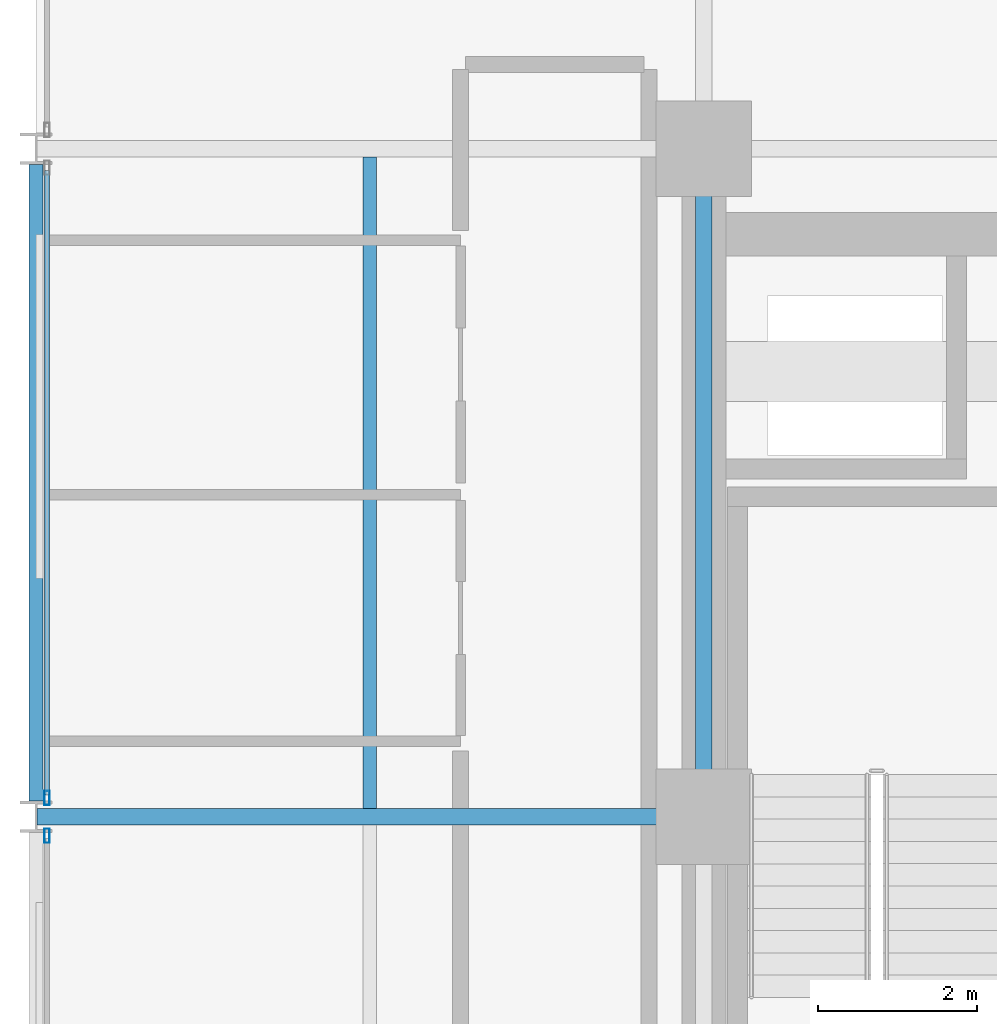
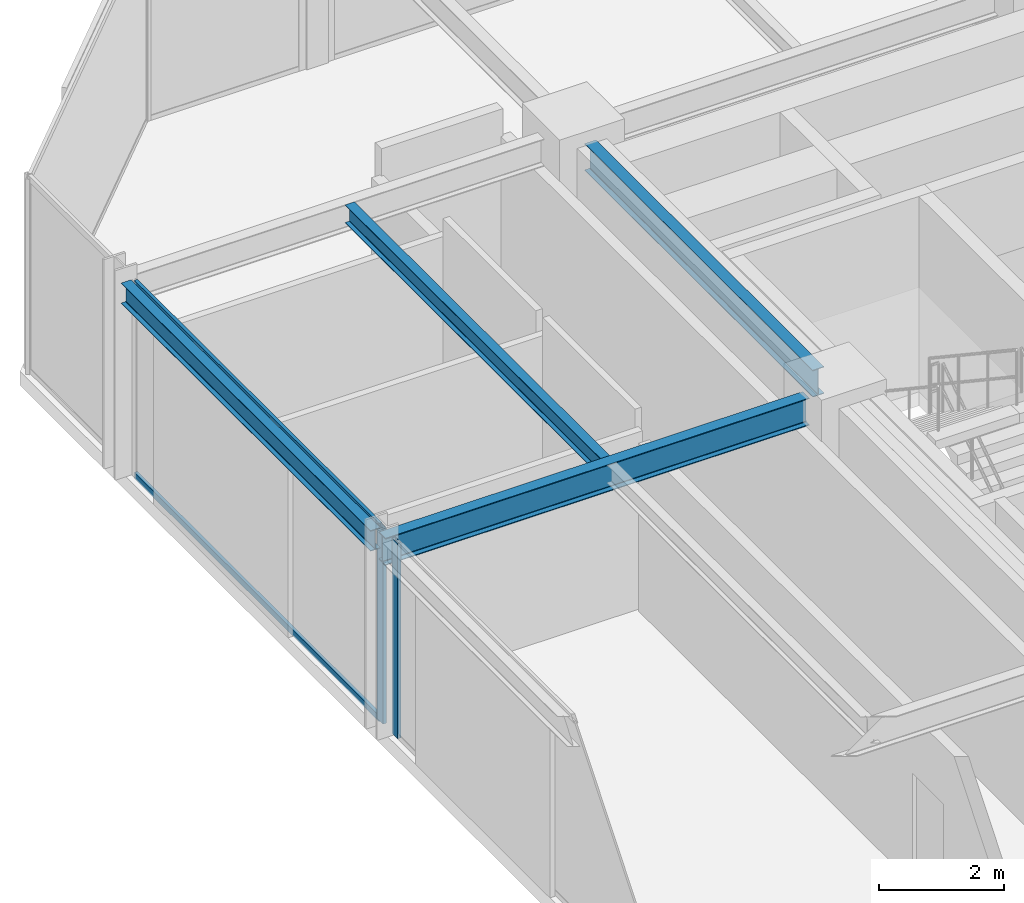
# One storey, part 23 of 38: 4 beams, 4 members, 2 elements without a shape of their own.
"""IFC4 building model written with IfcOpenShell, lengths in metres."""

from ifc_helpers import new_model, si_unit, direction, frame, origin, origin_2d, place, context, subcontext, project, spatial, hollow_rectangle, i_section, extrude, material, layer, layer_set, material_profile, profile_set, type_object, element, aggregate, save


model = new_model("IFC4")

# Units and contexts
model_context = context("Model", 3, precision=1e-05, world=origin(), true_north=direction((0.0, 1.0)))
body_context = subcontext(model_context, "Body", "Model", "MODEL_VIEW")
ifc_project = project(units=[si_unit("LENGTHUNIT", "METRE"), si_unit("AREAUNIT", "SQUARE_METRE"), si_unit("VOLUMEUNIT", "CUBIC_METRE"), si_unit("PLANEANGLEUNIT", "RADIAN"), si_unit("MASSUNIT", "GRAM", prefix="KILO")], contexts=[model_context])

# Site, building, storey
site_placement = place(None, origin())
site = spatial("IfcSite", under=ifc_project, at=site_placement, CompositionType="ELEMENT")
building_placement = place(site_placement, origin())
building = spatial("IfcBuilding", under=site, at=building_placement, Name="Nerrivon Quay Data Exchange", CompositionType="ELEMENT")
storey_placement = place(building_placement, frame((0.0, 0.0, 100.800048828125)))
storey = spatial("IfcBuildingStorey", under=building, at=storey_placement, Name="L23", CompositionType="ELEMENT", Elevation=100.800048828125)

# Beams
ifc_material_1 = material(Name="Steel Grade 350", Category="steel")
ifc_material_profile_1 = material_profile(ifc_material_1, i_section(OverallWidth=0.208984375, OverallDepth=0.532958984375, WebThickness=0.01025390625, FlangeThickness=0.015625, FilletRadius=0.013916015625, at=origin_2d()), Name="530UB92.4")
ifc_profile_set_1 = profile_set([ifc_material_profile_1], Name="Steel Grade 350")
beam_type_1 = type_object("IfcBeamType", Name="BM-G3-530UB92", PredefinedType="BEAM", material=ifc_profile_set_1)
beam_1_placement = place(storey_placement, frame((0.012451171875, 33.60009765625, 3.558349609375), z_axis=(1.0, 0.0, 0.0), x_axis=(0.0, 1.0, 0.0)))
element("IfcBeam", 1, at=beam_1_placement, inside=storey, type_object=beam_type_1, Name="L23 EW Girder Y=33.6 (0.0..8.4)", PredefinedType="BEAM", context=body_context, shape_type="SweptSolid", body=[
    extrude(i_section(OverallWidth=0.208984375, OverallDepth=0.532958984375, WebThickness=0.01025390625, FlangeThickness=0.015625, FilletRadius=0.013916015625, at=origin_2d()), origin(), (0.0, 0.0, 1.0), 7.84765625),
])
ifc_material_profile_2 = material_profile(ifc_material_1, i_section(OverallWidth=0.208984375, OverallDepth=0.528076171875, WebThickness=0.009521484375, FlangeThickness=0.01318359375, FilletRadius=0.013916015625, at=origin_2d()), Name="530UB82.0")
ifc_profile_set_2 = profile_set([ifc_material_profile_2], Name="Steel Grade 350")
beam_type_2 = type_object("IfcBeamType", Name="BM-G4-530UB82", PredefinedType="BEAM", material=ifc_profile_set_2)
beam_2_placement = place(storey_placement, frame((8.39990234375, 34.139892578125, 3.56103515625), z_axis=(0.0, 1.0, 0.0), x_axis=(-1.0, 0.0, 0.0)))
element("IfcBeam", 2, at=beam_2_placement, inside=storey, type_object=beam_type_2, Name="L23 NS Girder X=8.4 (33.6..42.0)", PredefinedType="BEAM", context=body_context, shape_type="SweptSolid", body=[
    extrude(i_section(OverallWidth=0.208984375, OverallDepth=0.528076171875, WebThickness=0.009521484375, FlangeThickness=0.01318359375, FilletRadius=0.013916015625, at=origin_2d()), origin(), (0.0, 0.0, 1.0), 7.320068359375),
])
ifc_material_profile_3 = material_profile(ifc_material_1, i_section(OverallWidth=0.1708984375, OverallDepth=0.35595703125, WebThickness=0.00732421875, FlangeThickness=0.011474609375, FilletRadius=0.011474609375, at=origin_2d()), Name="360UB50.7")
ifc_profile_set_3 = profile_set([ifc_material_profile_3], Name="Steel Grade 350")
beam_type_3 = type_object("IfcBeamType", Name="BM-J4-360UB51", PredefinedType="JOIST", material=ifc_profile_set_3)
beam_3_placement = place(storey_placement, frame((4.199951171875, 33.70458984375, 3.64697265625), z_axis=(0.0, 1.0, 0.0), x_axis=(-1.0, 0.0, 0.0)))
element("IfcBeam", 3, at=beam_3_placement, inside=storey, type_object=beam_type_3, Name="L23 Secondary Joist X=4.2 (33.6..42.0)", PredefinedType="JOIST", context=body_context, shape_type="SweptSolid", body=[
    extrude(i_section(OverallWidth=0.1708984375, OverallDepth=0.35595703125, WebThickness=0.00732421875, FlangeThickness=0.011474609375, FilletRadius=0.011474609375, at=origin_2d()), origin(), (0.0, 0.0, 1.0), 8.19091796875),
])
ifc_material_profile_4 = material_profile(ifc_material_1, i_section(OverallWidth=0.177978515625, OverallDepth=0.403076171875, WebThickness=0.007568359375, FlangeThickness=0.010986328125, FilletRadius=0.011474609375, at=origin_2d()), Name="410UB53.7")
ifc_profile_set_4 = profile_set([ifc_material_profile_4], Name="Steel Grade 350")
beam_type_4 = type_object("IfcBeamType", Name="BM-SP2-410UB54", PredefinedType="SPANDREL", material=ifc_profile_set_4)
beam_4_placement = place(storey_placement, frame((0.0, 33.800048828125, 3.62353515625), z_axis=(0.0, 1.0, 0.0), x_axis=(-1.0, 0.0, 0.0)))
element("IfcBeam", 4, at=beam_4_placement, inside=storey, type_object=beam_type_4, Name="L23 NS Girder X=0.0 (33.6..42.0)", PredefinedType="SPANDREL", context=body_context, shape_type="SweptSolid", body=[
    extrude(i_section(OverallWidth=0.177978515625, OverallDepth=0.403076171875, WebThickness=0.007568359375, FlangeThickness=0.010986328125, FilletRadius=0.011474609375, at=origin_2d()), origin(), (0.0, 0.0, 1.0), 8.0),
])

# Curtain wall, member
ifc_material_2 = material(Name="Anodised aluminium 6063-T6", Category="aluminium")
ifc_layer = layer(ifc_material_2, 0.2099609375)
ifc_layer_set = layer_set([ifc_layer], Name="Anodised aluminium 6063-T6")
curtain_wall_type = type_object("IfcCurtainWallType", Name="CW-SYS-02", PredefinedType="NOTDEFINED", material=ifc_layer_set)
curtain_wall_1_placement = place(storey_placement, origin())
curtain_wall_1 = element("IfcCurtainWall", 5, at=curtain_wall_1_placement, inside=storey, type_object=curtain_wall_type, Name="L23 Unitised Curtain Wall 20", PredefinedType="NOTDEFINED")
ifc_material_profile_5 = material_profile(ifc_material_2, hollow_rectangle(XDim=0.06494140625, YDim=0.179931640625, WallThickness=0.00341796875, at=origin_2d()), Name="ALU-MULL-180x65")
ifc_profile_set_5 = profile_set([ifc_material_profile_5], Name="Anodised aluminium 6063-T6")
member_type_1 = type_object("IfcMemberType", Name="CWM-180x65", PredefinedType="MULLION", material=ifc_profile_set_5)
member_1_placement = place(storey_placement, frame((0.139892578125, 33.362548828125, 0.0), z_axis=(0.0, 0.0, 1.0), x_axis=(-1.0, 0.0, 0.0)))
member_1 = element("IfcMember", 6, at=member_1_placement, type_object=member_type_1, Name="CW02 mullion 2", PredefinedType="MULLION", context=body_context, shape_type="SweptSolid", body=[
    extrude(hollow_rectangle(XDim=0.06494140625, YDim=0.179931640625, WallThickness=0.00341796875, at=origin_2d()), origin(), (0.0, 0.0, 1.0), 3.824951171875),
])
aggregate(curtain_wall_1, [member_1])

# Curtain wall, members
curtain_wall_2_placement = place(storey_placement, origin())
curtain_wall_2 = element("IfcCurtainWall", 7, at=curtain_wall_2_placement, inside=storey, type_object=curtain_wall_type, Name="L23 Unitised Curtain Wall 21", PredefinedType="NOTDEFINED")
member_2_placement = place(storey_placement, frame((0.139892578125, 33.83740234375, 0.0), z_axis=(0.0, 0.0, 1.0), x_axis=(-1.0, 0.0, 0.0)))
member_2 = element("IfcMember", 8, at=member_2_placement, type_object=member_type_1, Name="CW02 mullion 1", PredefinedType="MULLION", context=body_context, shape_type="SweptSolid", body=[
    extrude(hollow_rectangle(XDim=0.06494140625, YDim=0.179931640625, WallThickness=0.00341796875, at=origin_2d()), origin(), (0.0, 0.0, 1.0), 3.824951171875),
])
ifc_material_profile_6 = material_profile(ifc_material_2, hollow_rectangle(XDim=0.06005859375, YDim=0.1201171875, WallThickness=0.003173828125, at=origin_2d()), Name="ALU-TRAN-120x60")
ifc_profile_set_6 = profile_set([ifc_material_profile_6], Name="Anodised aluminium 6063-T6")
member_type_2 = type_object("IfcMemberType", Name="CWT-120x60", PredefinedType="USERDEFINED", material=ifc_profile_set_6)
member_3_placement = place(storey_placement, frame((0.139892578125, 33.875, 0.032470703125), z_axis=(0.0, 1.0, 0.0), x_axis=(-1.0, 0.0, 0.0)))
member_3 = element("IfcMember", 9, at=member_3_placement, type_object=member_type_2, Name="CW02 transom 1.1", ObjectType="TRANSOM", PredefinedType="USERDEFINED", context=body_context, shape_type="SweptSolid", body=[
    extrude(hollow_rectangle(XDim=0.06005859375, YDim=0.1201171875, WallThickness=0.003173828125, at=origin_2d()), origin(), (0.0, 0.0, 1.0), 7.85009765625),
])
member_4_placement = place(storey_placement, frame((0.139892578125, 33.875, 3.79248046875), z_axis=(0.0, 1.0, 0.0), x_axis=(-1.0, 0.0, 0.0)))
member_4 = element("IfcMember", 10, at=member_4_placement, type_object=member_type_2, Name="CW02 transom 1.2", ObjectType="TRANSOM", PredefinedType="USERDEFINED", context=body_context, shape_type="SweptSolid", body=[
    extrude(hollow_rectangle(XDim=0.06005859375, YDim=0.1201171875, WallThickness=0.003173828125, at=origin_2d()), origin(), (0.0, 0.0, 1.0), 7.85009765625),
])
aggregate(curtain_wall_2, [member_2, member_3, member_4])

save(model, "model.ifc")
